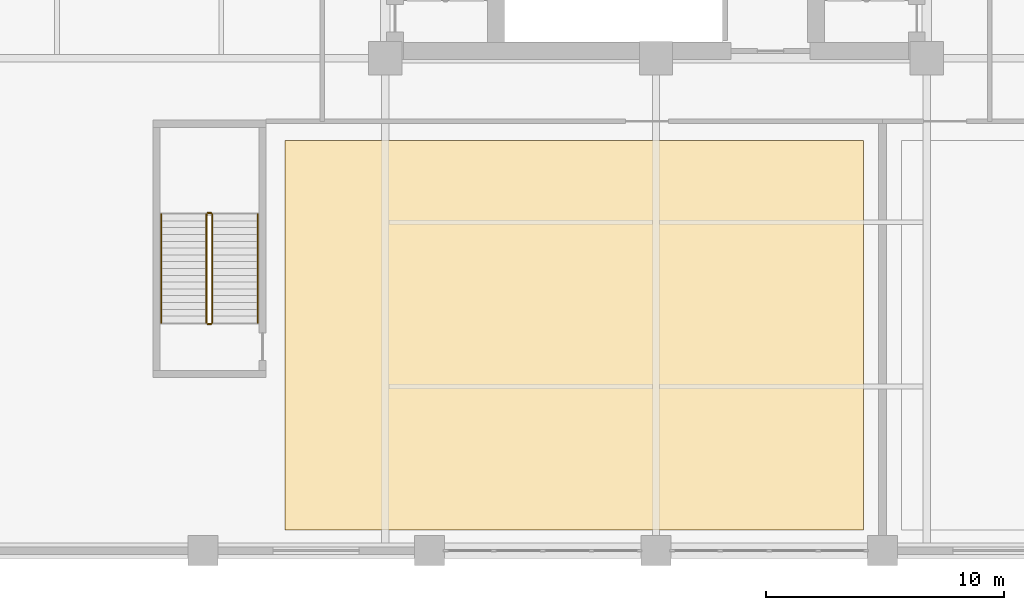
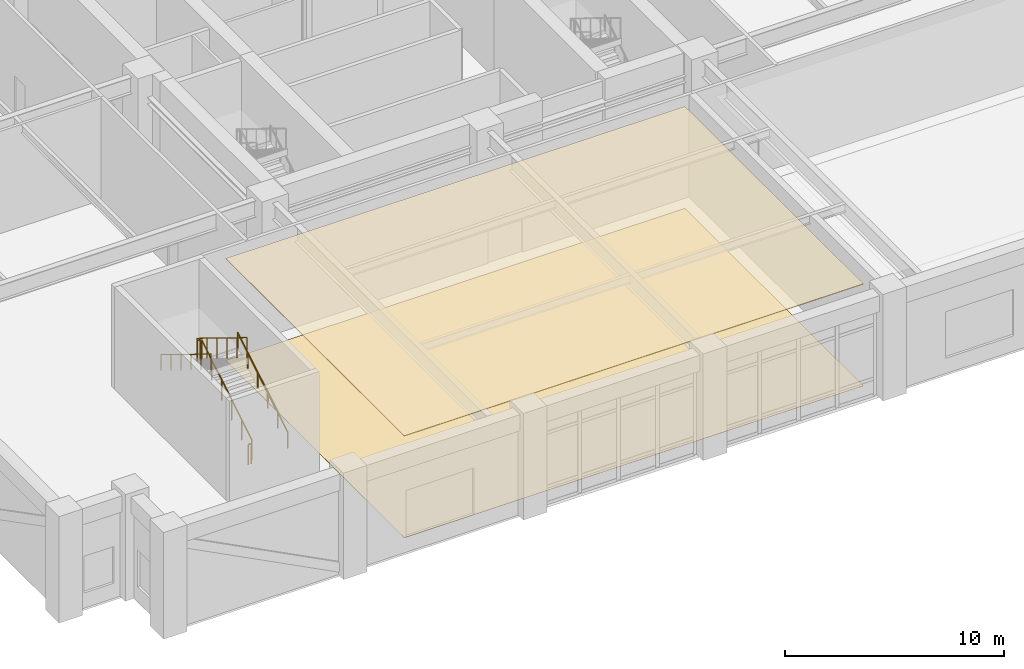
# One storey, part 16 of 21: 6 railings, 2 coverings.
"""IFC4 building model written with IfcOpenShell, lengths in metres."""

import ifcopenshell
import ifcopenshell.guid

model = None  # the IFC model being written
_history = None  # IfcOwnerHistory: only IFC2X3 demands one
_inside = {}  # id of a spatial element -> (the spatial element, [elements in it])
_under = {}  # id of a project, library or spatial element -> (it, [spatial elements below it])
_declared = {}  # id of a project -> (the project, [libraries it declares])
_typed = {}  # id of a type object -> (the type object, [elements of that type])
_made_of = {}  # id of a material, layer set ... -> (it, [elements and type objects made of it])


def new_model(schema):
    """Start an empty IFC model of exactly this schema.

    Asked for "IFC4X3", IfcOpenShell would pick the latest addendum, in which some entities
    have other attributes; the version numbers below select the first issue.
    IFC2X3 requires an IfcOwnerHistory on every rooted entity: one is made here for all.
    """
    global model, _history
    if schema == "IFC4X3":
        model = ifcopenshell.file(schema_version=(4, 3, 0, 0))
    else:
        model = ifcopenshell.file(schema=schema)
    _inside.clear()
    _under.clear()
    _declared.clear()
    _typed.clear()
    _made_of.clear()
    _history = None
    if model.schema == "IFC2X3":
        org = make("IfcOrganization", Name="unknown")
        user = make(
            "IfcPersonAndOrganization",
            ThePerson=make("IfcPerson", FamilyName="unknown"),
            TheOrganization=org,
        )
        app = make(
            "IfcApplication",
            ApplicationDeveloper=org,
            Version="unknown",
            ApplicationFullName="unknown",
            ApplicationIdentifier="unknown",
        )
        _history = make(
            "IfcOwnerHistory",
            OwningUser=user,
            OwningApplication=app,
            ChangeAction="ADDED",
            CreationDate=0,
        )
    return model


def make(cls, **values):
    """One entity of the class cls with the attributes given. An attribute that is None is left unset."""
    return model.create_entity(
        cls, **{name: value for name, value in values.items() if value is not None}
    )


def rooted(cls, **values):
    """An entity with a GlobalId (a new one), such as an element, a storey or a relation."""
    return make(cls, GlobalId=ifcopenshell.guid.new(), OwnerHistory=_history, **values)


def si_unit(unit_type, name, prefix=None):
    """IfcSIUnit, for example si_unit("LENGTHUNIT", "METRE", prefix="MILLI")."""
    return make("IfcSIUnit", UnitType=unit_type, Prefix=prefix, Name=name)


def assignment(units):
    """IfcUnitAssignment: the units of a project."""
    return None if units is None else make("IfcUnitAssignment", Units=units)


def point(xyz):
    """IfcCartesianPoint."""
    return None if xyz is None else make("IfcCartesianPoint", Coordinates=xyz)


def direction(xyz):
    """IfcDirection."""
    return None if xyz is None else make("IfcDirection", DirectionRatios=xyz)


def frame(location, z_axis=None, x_axis=None):
    """IfcAxis2Placement3D, a coordinate frame: its origin and axes. An axis left out is left unset."""
    return make(
        "IfcAxis2Placement3D",
        Location=point(location),
        Axis=direction(z_axis),
        RefDirection=direction(x_axis),
    )


def frame_2d(location, x_axis=None):
    """IfcAxis2Placement2D, a coordinate frame in the plane: its origin and x axis."""
    return make(
        "IfcAxis2Placement2D", Location=point(location), RefDirection=direction(x_axis)
    )


def origin():
    """The frame at (0, 0, 0) with its axes left unset."""
    return frame((0.0, 0.0, 0.0))


def origin_2d():
    """The frame at (0, 0) in the plane with its x axis left unset."""
    return frame_2d((0.0, 0.0))


def place(relative_to, where):
    """IfcLocalPlacement: puts the frame where relative to a parent placement (None: the world)."""
    return make(
        "IfcLocalPlacement", PlacementRelTo=relative_to, RelativePlacement=where
    )


def context(
    kind, dimensions, precision=None, world=None, true_north=None, identifier=None
):
    """IfcGeometricRepresentationContext, for example the 3D "Model" context."""
    return make(
        "IfcGeometricRepresentationContext",
        ContextIdentifier=identifier,
        ContextType=kind,
        CoordinateSpaceDimension=dimensions,
        Precision=precision,
        WorldCoordinateSystem=world,
        TrueNorth=true_north,
    )


def subcontext(parent, identifier, kind, view, scale=None):
    """IfcGeometricRepresentationSubContext, for example "Body" below "Model"."""
    return make(
        "IfcGeometricRepresentationSubContext",
        ContextIdentifier=identifier,
        ContextType=kind,
        ParentContext=parent,
        TargetScale=scale,
        TargetView=view,
    )


def project(units=None, contexts=None):
    """IfcProject with its units and contexts."""
    return rooted(
        "IfcProject",
        Name="project",
        RepresentationContexts=contexts,
        UnitsInContext=assignment(units),
    )


def spatial(cls, under=None, at=None, **own):
    """A site, building, storey or space (cls), placed at a placement, below another one or the project."""
    s = rooted(cls, ObjectPlacement=at, **own)
    if under is not None:
        _under.setdefault(under.id(), (under, []))[1].append(s)
    return s


def polyline(points):
    """IfcPolyline through the points."""
    return make("IfcPolyline", Points=[point(p) for p in points])


def profile(cls, at=None, kind="AREA", **sizes):
    """A parametric profile (cls). Its sizes go by their IFC names, for example OverallWidth=200.0."""
    return make(cls, ProfileType=kind, Position=at, **sizes)


def circle(**sizes):
    """IfcCircleProfileDef."""
    return profile("IfcCircleProfileDef", **sizes)


def outline(outer, holes=None, kind="AREA"):
    """IfcArbitraryClosedProfileDef: a profile drawn as a closed curve; with holes, ...WithVoids."""
    if holes is None:
        return make("IfcArbitraryClosedProfileDef", ProfileType=kind, OuterCurve=outer)
    return make(
        "IfcArbitraryProfileDefWithVoids",
        ProfileType=kind,
        OuterCurve=outer,
        InnerCurves=holes,
    )


def extrude(swept, where, along, depth):
    """IfcExtrudedAreaSolid: the profile swept, set in the frame where, extruded along a direction by depth."""
    return make(
        "IfcExtrudedAreaSolid",
        SweptArea=swept,
        Position=where,
        ExtrudedDirection=direction(along),
        Depth=depth,
    )


def shape(context_of_items, identifier, shape_type, items):
    """IfcShapeRepresentation: the items that make up one representation, for example the "Body"."""
    return make(
        "IfcShapeRepresentation",
        ContextOfItems=context_of_items,
        RepresentationIdentifier=identifier,
        RepresentationType=shape_type,
        Items=items,
    )


def material(Name=None, Category=None):
    """IfcMaterial."""
    return make("IfcMaterial", Name=Name, Category=Category)


def layer(
    of_material, thickness, ventilated=None, Name=None, Category=None, Priority=None
):
    """IfcMaterialLayer: one layer of a wall or slab, of a material (None: an air gap)."""
    return make(
        "IfcMaterialLayer",
        Material=of_material,
        LayerThickness=thickness,
        IsVentilated=ventilated,
        Name=Name,
        Category=Category,
        Priority=Priority,
    )


def layer_set(layers, Name=None):
    """IfcMaterialLayerSet."""
    return make("IfcMaterialLayerSet", MaterialLayers=layers, LayerSetName=Name)


def made_of(thing, what):
    """Note that an element or type object is made of a material, layer set ...; save() writes the relation."""
    if what is not None:
        _made_of.setdefault(what.id(), (what, []))[1].append(thing)
    return thing


def type_object(cls, material=None, **own):
    """A type object (cls), such as IfcWallType, which elements share."""
    return made_of(rooted(cls, **own), material)


def element(
    cls,
    number,
    at=None,
    inside=None,
    cuts=None,
    type_object=None,
    material=None,
    context=None,
    identifier="Body",
    shape_type=None,
    held_by="IfcProductDefinitionShape",
    body=None,
    shapes=None,
    **own,
):
    """One element of the class cls, such as IfcWall. Its Tag is "e" and its number.

    at: its placement. inside: the storey or other place that contains it. cuts: it is an
    opening in that element (IfcRelVoidsElement). A single representation is given by context,
    identifier, shape_type and body (its items); several are given by shapes. held_by: the class
    of the entity that holds the representations. save() writes the other relations.
    """
    e = rooted(cls, Tag="e%d" % number, ObjectPlacement=at, **own)
    if body is not None:
        shapes = [shape(context, identifier, shape_type, body)]
    if shapes is not None:
        e.Representation = make(held_by, Representations=shapes)
    if inside is not None:
        _inside.setdefault(inside.id(), (inside, []))[1].append(e)
    if cuts is not None:
        rooted(
            "IfcRelVoidsElement", RelatingBuildingElement=cuts, RelatedOpeningElement=e
        )
    if type_object is not None:
        _typed.setdefault(type_object.id(), (type_object, []))[1].append(e)
    return made_of(e, material)


def aggregate(whole, parts):
    """IfcRelAggregates: a whole, such as a stair, and the parts it consists of."""
    return rooted("IfcRelAggregates", RelatingObject=whole, RelatedObjects=parts)


def save(model, path):
    """Write the relations noted so far, then the file.

    IfcRelAggregates (storeys below a building ...), IfcRelContainedInSpatialStructure (elements
    in a storey), IfcRelDefinesByType, IfcRelAssociatesMaterial and IfcRelDeclares: one each for
    every whole, place, type object, material and project.
    """
    for whole, parts in _under.values():
        aggregate(whole, parts)
    for where, things in _inside.values():
        rooted(
            "IfcRelContainedInSpatialStructure",
            RelatedElements=things,
            RelatingStructure=where,
        )
    for kind, things in _typed.values():
        rooted("IfcRelDefinesByType", RelatedObjects=things, RelatingType=kind)
    for what, things in _made_of.values():
        rooted("IfcRelAssociatesMaterial", RelatedObjects=things, RelatingMaterial=what)
    for by, libraries in _declared.values():
        rooted("IfcRelDeclares", RelatingContext=by, RelatedDefinitions=libraries)
    model.write(path)


model = new_model("IFC4")

# Units and contexts
model_context = context("Model", 3, precision=1e-05, world=origin(), true_north=direction((0.0, 1.0)))
body_context = subcontext(model_context, "Body", "Model", "MODEL_VIEW")
ifc_project = project(units=[si_unit("LENGTHUNIT", "METRE"), si_unit("AREAUNIT", "SQUARE_METRE"), si_unit("VOLUMEUNIT", "CUBIC_METRE"), si_unit("PLANEANGLEUNIT", "RADIAN"), si_unit("MASSUNIT", "GRAM", prefix="KILO")], contexts=[model_context])

# Site, building, storey
site_placement = place(None, origin())
site = spatial("IfcSite", under=ifc_project, at=site_placement, CompositionType="ELEMENT")
building_placement = place(site_placement, origin())
building = spatial("IfcBuilding", under=site, at=building_placement, Name="Nhamokura Convention Tower", CompositionType="ELEMENT")
storey_placement = place(building_placement, frame((0.0, 0.0, 17.85009765625)))
storey = spatial("IfcBuildingStorey", under=building, at=storey_placement, Name="L03", CompositionType="ELEMENT", Elevation=17.85009765625)

# Covering
ifc_material_1 = material(Name="Anodised bronze aluminium ceiling baffle", Category="aluminium")
ifc_layer_1 = layer(ifc_material_1, 0.0400390625)
ifc_layer_set_1 = layer_set([ifc_layer_1], Name="BronzeBaffleCeiling_40")
covering_type_1 = type_object("IfcCoveringType", Name="BronzeBaffleCeiling_40", PredefinedType="CEILING", material=ifc_layer_set_1)
covering_1_placement = place(storey_placement, frame((0.0, 0.0, 5.669921875)))
element("IfcCovering", 1, at=covering_1_placement, inside=storey, type_object=covering_type_1, Name="L03 Suspended Ceiling 03", PredefinedType="CEILING", context=body_context, shape_type="SweptSolid", body=[
    extrude(outline(polyline([(16.449951171875, 0.860107421875), (40.699951171875, 0.860107421875), (40.699951171875, 17.199951171875), (16.449951171875, 17.199951171875), (16.449951171875, 0.860107421875)])), origin(), (0.0, 0.0, 1.0), 0.0400390625),
])

# Railings
ifc_material_2 = material(Name="Anodised bronze stainless steel", Category="steel")
railing_type_1 = type_object("IfcRailingType", Name="StairWallHandrail_900", PredefinedType="HANDRAIL", material=ifc_material_2)
railing_1_placement = place(storey_placement, frame((15.300048828125, 9.550048828125, 0.1748046875)))
element("IfcRailing", 2, at=railing_1_placement, inside=storey, type_object=railing_type_1, Name="L03 ST-04 stair handrail 1", PredefinedType="HANDRAIL", context=body_context, shape_type="SweptSolid", body=[
    extrude(circle(Radius=0.02392578125, at=origin_2d()), frame((0.0, 0.0, 0.8759765625), z_axis=(0.0, 0.852170154964, 0.523264777133), x_axis=(-1.0, 0.0, 0.0)), (0.0, 0.0, 1.0), 5.35107421875),
    extrude(circle(Radius=0.02099609375, at=origin_2d()), origin(), (0.0, 0.0, 1.0), 0.851806640625),
    extrude(circle(Radius=0.02099609375, at=origin_2d()), frame((0.0, 0.912109375, 0.56005859375)), (0.0, 0.0, 1.0), 0.851806640625),
    extrude(circle(Radius=0.02099609375, at=origin_2d()), frame((0.0, 1.823974609375, 1.1201171875)), (0.0, 0.0, 1.0), 0.851806640625),
    extrude(circle(Radius=0.02099609375, at=origin_2d()), frame((0.0, 2.736083984375, 1.679931640625)), (0.0, 0.0, 1.0), 0.851806640625),
    extrude(circle(Radius=0.02099609375, at=origin_2d()), frame((0.0, 3.64794921875, 2.239990234375)), (0.0, 0.0, 1.0), 0.851806640625),
    extrude(circle(Radius=0.02099609375, at=origin_2d()), frame((0.0, 4.56005859375, 2.800048828125)), (0.0, 0.0, 1.0), 0.851806640625),
])
railing_2_placement = place(storey_placement, frame((11.25, 14.110107421875, 3.14990234375)))
element("IfcRailing", 3, at=railing_2_placement, inside=storey, type_object=railing_type_1, Name="L03 ST-04 stair handrail 2", PredefinedType="HANDRAIL", context=body_context, shape_type="SweptSolid", body=[
    extrude(circle(Radius=0.02392578125, at=origin_2d()), frame((0.0, 0.0, 0.8759765625), z_axis=(0.0, -0.852170154964, 0.523264777133), x_axis=(1.0, 0.0, 0.0)), (0.0, 0.0, 1.0), 5.35107421875),
    extrude(circle(Radius=0.02099609375, at=origin_2d()), origin(), (0.0, 0.0, 1.0), 0.851806640625),
    extrude(circle(Radius=0.02099609375, at=origin_2d()), frame((0.0, -0.912109375, 0.56005859375)), (0.0, 0.0, 1.0), 0.851806640625),
    extrude(circle(Radius=0.02099609375, at=origin_2d()), frame((0.0, -1.823974609375, 1.1201171875)), (0.0, 0.0, 1.0), 0.851806640625),
    extrude(circle(Radius=0.02099609375, at=origin_2d()), frame((0.0, -2.736083984375, 1.679931640625)), (0.0, 0.0, 1.0), 0.851806640625),
    extrude(circle(Radius=0.02099609375, at=origin_2d()), frame((0.0, -3.64794921875, 2.239990234375)), (0.0, 0.0, 1.0), 0.851806640625),
    extrude(circle(Radius=0.02099609375, at=origin_2d()), frame((0.0, -4.56005859375, 2.800048828125)), (0.0, 0.0, 1.0), 0.851806640625),
])
ifc_material_3 = material(Name="Painted tubular steel", Category="steel")
railing_type_2 = type_object("IfcRailingType", Name="StairWellGuardrail_1150", PredefinedType="GUARDRAIL", material=ifc_material_3)
railing_3_placement = place(storey_placement, frame((13.39990234375, 9.550048828125, 0.1748046875)))
element("IfcRailing", 4, at=railing_3_placement, inside=storey, type_object=railing_type_2, Name="L03 ST-04 stair guard 1", PredefinedType="GUARDRAIL", context=body_context, shape_type="SweptSolid", body=[
    extrude(circle(Radius=0.02392578125, at=origin_2d()), frame((0.0, 0.0, 1.1259765625), z_axis=(0.0, 0.852170154964, 0.523264777133), x_axis=(-1.0, 0.0, 0.0)), (0.0, 0.0, 1.0), 5.35107421875),
    extrude(circle(Radius=0.02099609375, at=origin_2d()), origin(), (0.0, 0.0, 1.0), 1.101806640625),
    extrude(circle(Radius=0.02099609375, at=origin_2d()), frame((0.0, 0.912109375, 0.56005859375)), (0.0, 0.0, 1.0), 1.101806640625),
    extrude(circle(Radius=0.02099609375, at=origin_2d()), frame((0.0, 1.823974609375, 1.1201171875)), (0.0, 0.0, 1.0), 1.101806640625),
    extrude(circle(Radius=0.02099609375, at=origin_2d()), frame((0.0, 2.736083984375, 1.679931640625)), (0.0, 0.0, 1.0), 1.101806640625),
    extrude(circle(Radius=0.02099609375, at=origin_2d()), frame((0.0, 3.64794921875, 2.239990234375)), (0.0, 0.0, 1.0), 1.101806640625),
    extrude(circle(Radius=0.02099609375, at=origin_2d()), frame((0.0, 4.56005859375, 2.800048828125)), (0.0, 0.0, 1.0), 1.101806640625),
])
railing_4_placement = place(storey_placement, frame((13.35009765625, 14.159912109375, 2.974853515625)))
element("IfcRailing", 5, at=railing_4_placement, inside=storey, type_object=railing_type_2, Name="L03 ST-04 stair guard 2", PredefinedType="GUARDRAIL", context=body_context, shape_type="SweptSolid", body=[
    extrude(circle(Radius=0.02392578125, at=origin_2d()), frame((0.0, 0.0, 1.1259765625), z_axis=(-1.0, 0.0, 0.0), x_axis=(0.0, -1.0, 0.0)), (0.0, 0.0, 1.0), 0.150146484375),
    extrude(circle(Radius=0.02099609375, at=origin_2d()), origin(), (0.0, 0.0, 1.0), 1.101806640625),
    extrude(circle(Radius=0.02099609375, at=origin_2d()), frame((-0.150146484375, 0.0, 0.0)), (0.0, 0.0, 1.0), 1.101806640625),
])
railing_5_placement = place(storey_placement, frame((13.14990234375, 14.110107421875, 3.14990234375)))
element("IfcRailing", 6, at=railing_5_placement, inside=storey, type_object=railing_type_2, Name="L03 ST-04 stair guard 3", PredefinedType="GUARDRAIL", context=body_context, shape_type="SweptSolid", body=[
    extrude(circle(Radius=0.02392578125, at=origin_2d()), frame((0.0, 0.0, 1.1259765625), z_axis=(0.0, -0.852170154964, 0.523264777133), x_axis=(1.0, 0.0, 0.0)), (0.0, 0.0, 1.0), 5.35107421875),
    extrude(circle(Radius=0.02099609375, at=origin_2d()), origin(), (0.0, 0.0, 1.0), 1.101806640625),
    extrude(circle(Radius=0.02099609375, at=origin_2d()), frame((0.0, -0.912109375, 0.56005859375)), (0.0, 0.0, 1.0), 1.101806640625),
    extrude(circle(Radius=0.02099609375, at=origin_2d()), frame((0.0, -1.823974609375, 1.1201171875)), (0.0, 0.0, 1.0), 1.101806640625),
    extrude(circle(Radius=0.02099609375, at=origin_2d()), frame((0.0, -2.736083984375, 1.679931640625)), (0.0, 0.0, 1.0), 1.101806640625),
    extrude(circle(Radius=0.02099609375, at=origin_2d()), frame((0.0, -3.64794921875, 2.239990234375)), (0.0, 0.0, 1.0), 1.101806640625),
    extrude(circle(Radius=0.02099609375, at=origin_2d()), frame((0.0, -4.56005859375, 2.800048828125)), (0.0, 0.0, 1.0), 1.101806640625),
])
railing_6_placement = place(storey_placement, frame((13.35009765625, 9.5, 0.0)))
element("IfcRailing", 7, at=railing_6_placement, inside=storey, type_object=railing_type_2, Name="L03 ST-04 stair guard 4", PredefinedType="GUARDRAIL", context=body_context, shape_type="SweptSolid", body=[
    extrude(circle(Radius=0.02392578125, at=origin_2d()), frame((0.0, 0.0, 1.1259765625), z_axis=(-1.0, 0.0, 0.0), x_axis=(0.0, -1.0, 0.0)), (0.0, 0.0, 1.0), 0.150146484375),
    extrude(circle(Radius=0.02099609375, at=origin_2d()), origin(), (0.0, 0.0, 1.0), 1.101806640625),
    extrude(circle(Radius=0.02099609375, at=origin_2d()), frame((-0.150146484375, 0.0, 0.0)), (0.0, 0.0, 1.0), 1.101806640625),
])

# Covering
ifc_material_4 = material(Name="Acoustic woven hospitality carpet", Category="wood")
ifc_layer_2 = layer(ifc_material_4, 0.014892578125)
ifc_layer_set_2 = layer_set([ifc_layer_2], Name="WovenCarpetFlooring_15")
covering_type_2 = type_object("IfcCoveringType", Name="WovenCarpetFlooring_15", PredefinedType="FLOORING", material=ifc_layer_set_2)
covering_2_placement = place(storey_placement, origin())
element("IfcCovering", 8, at=covering_2_placement, inside=storey, type_object=covering_type_2, Name="L03 Finish Flooring 03", PredefinedType="FLOORING", context=body_context, shape_type="SweptSolid", body=[
    extrude(outline(polyline([(16.449951171875, 0.860107421875), (40.699951171875, 0.860107421875), (40.699951171875, 17.199951171875), (16.449951171875, 17.199951171875), (16.449951171875, 0.860107421875)])), origin(), (0.0, 0.0, 1.0), 0.014892578125),
])

save(model, "model.ifc")
